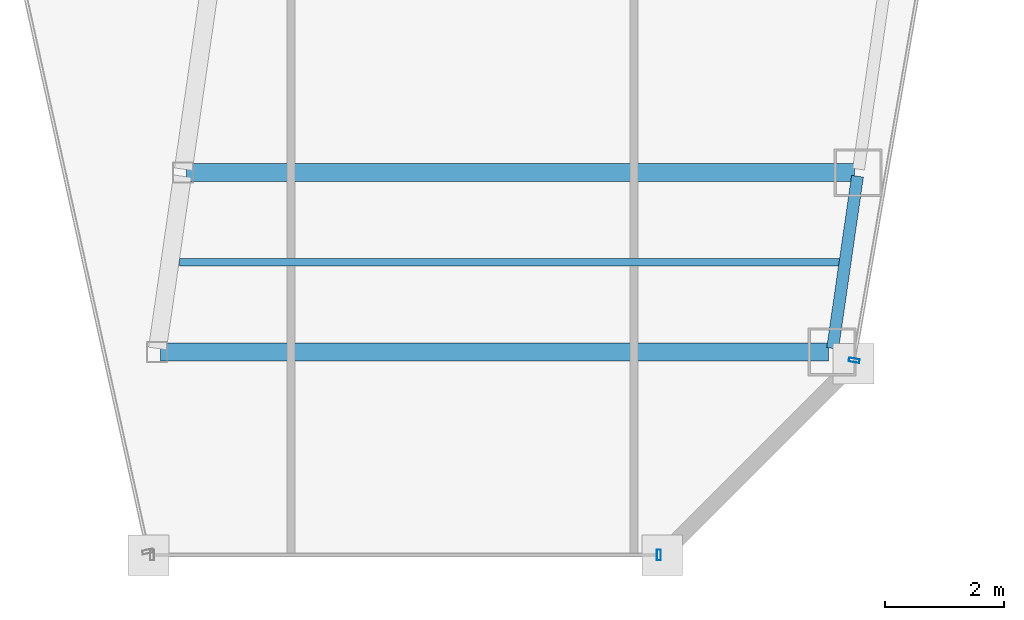
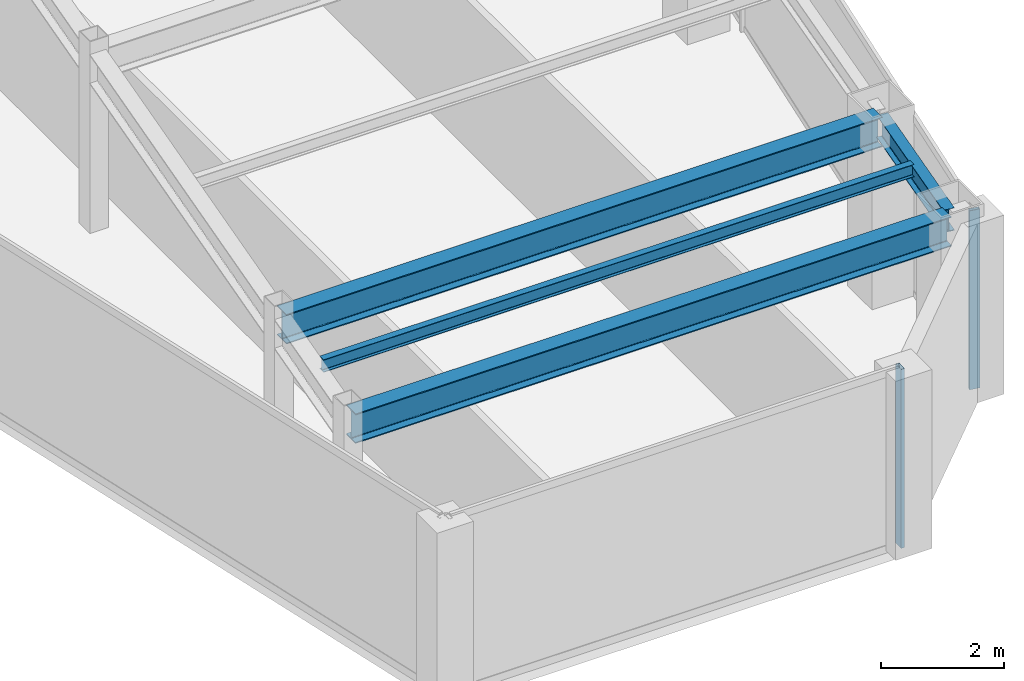
# One storey, part 14 of 32: 4 beams, 2 members, 2 elements without a shape of their own.
"""IFC4 building model written with IfcOpenShell, lengths in metres."""

from ifc_helpers import new_model, si_unit, direction, frame, origin, origin_2d, place, context, subcontext, project, spatial, hollow_rectangle, i_section, extrude, material, material_profile, profile_set, type_object, element, aggregate, save


model = new_model("IFC4")

# Units and contexts
model_context = context("Model", 3, precision=1e-05, world=origin(), true_north=direction((0.0, 1.0)))
body_context = subcontext(model_context, "Body", "Model", "MODEL_VIEW")
ifc_project = project(units=[si_unit("LENGTHUNIT", "METRE"), si_unit("AREAUNIT", "SQUARE_METRE"), si_unit("VOLUMEUNIT", "CUBIC_METRE"), si_unit("PLANEANGLEUNIT", "RADIAN"), si_unit("MASSUNIT", "GRAM", prefix="KILO")], contexts=[model_context])

# Site, building, storey
site_placement = place(None, origin())
site = spatial("IfcSite", under=ifc_project, at=site_placement, CompositionType="ELEMENT")
building_placement = place(site_placement, origin())
building = spatial("IfcBuilding", under=site, at=building_placement, Name="Saevonmaru Cultural Tower", CompositionType="ELEMENT")
storey_placement = place(building_placement, frame((0.0, 0.0, 242.0)))
storey = spatial("IfcBuildingStorey", under=building, at=storey_placement, Name="L56", CompositionType="ELEMENT", Elevation=242.0)

# Beams
ifc_material_1 = material(Name="Steel SM355", Category="steel")
ifc_material_profile_1 = material_profile(ifc_material_1, i_section(OverallWidth=0.300048828125, OverallDepth=0.587890625, WebThickness=0.011962890625, FlangeThickness=0.02001953125, FilletRadius=0.02392578125, at=origin_2d()), Name="H-588x300x12x20")
ifc_profile_set_1 = profile_set([ifc_material_profile_1], Name="Steel SM355")
beam_type_1 = type_object("IfcBeamType", Name="BM-G-H588", PredefinedType="BEAM", material=ifc_profile_set_1)
for number, where, z_axis, x_axis, name in (
    (1, (38.85400390625, 21.0, 3.256103515625), (1.0, 0.0, 0.0), (0.0, 1.0, 0.0), "L56 East Wing Transverse Girder 1"),
    (2, (39.2880859375, 24.0, 3.256103515625), (1.0, 0.0, 0.0), (0.0, 1.0, 0.0), "L56 East Wing Transverse Girder 2"),
):
    element("IfcBeam", number, at=place(storey_placement, frame(where, z_axis=z_axis, x_axis=x_axis)), inside=storey, type_object=beam_type_1, Name=name, PredefinedType="BEAM", context=body_context, shape_type="SweptSolid", body=[
        extrude(i_section(OverallWidth=0.300048828125, OverallDepth=0.587890625, WebThickness=0.011962890625, FlangeThickness=0.02001953125, FilletRadius=0.02392578125, at=origin_2d()), origin(), (0.0, 0.0, 1.0), 11.179931640625),
    ])
ifc_material_profile_2 = material_profile(ifc_material_1, i_section(OverallWidth=0.125, OverallDepth=0.25, WebThickness=0.006103515625, FlangeThickness=0.009033203125, FilletRadius=0.008056640625, at=origin_2d()), Name="H-250x125x6x9")
ifc_profile_set_2 = profile_set([ifc_material_profile_2], Name="Steel SM355")
beam_type_2 = type_object("IfcBeamType", Name="BM-J-H250", PredefinedType="JOIST", material=ifc_profile_set_2)
beam_1_placement = place(storey_placement, frame((39.1689453125, 22.5, 3.425048828125), z_axis=(1.0, 0.0, 0.0), x_axis=(0.0, 1.0, 0.0)))
element("IfcBeam", 3, at=beam_1_placement, inside=storey, type_object=beam_type_2, Name="L56 East Wing Floor Joist 1", PredefinedType="JOIST", context=body_context, shape_type="SweptSolid", body=[
    extrude(i_section(OverallWidth=0.125, OverallDepth=0.25, WebThickness=0.006103515625, FlangeThickness=0.009033203125, FilletRadius=0.008056640625, at=origin_2d()), origin(), (0.0, 0.0, 1.0), 11.08203125),
])
ifc_material_profile_3 = material_profile(ifc_material_1, i_section(OverallWidth=0.199951171875, OverallDepth=0.449951171875, WebThickness=0.009033203125, FlangeThickness=0.013916015625, FilletRadius=0.01806640625, at=origin_2d()), Name="H-450x200x9x14")
ifc_profile_set_3 = profile_set([ifc_material_profile_3], Name="Steel SM355")
beam_type_3 = type_object("IfcBeamType", Name="BM-SP-H450", PredefinedType="SPANDREL", material=ifc_profile_set_3)
beam_2_placement = place(storey_placement, frame((50.1025390625, 21.059326171875, 3.324951171875), z_axis=(0.143146955239, 0.98970144448, 0.0), x_axis=(-0.98970144448, 0.143146955239, 0.0)))
element("IfcBeam", 4, at=beam_2_placement, inside=storey, type_object=beam_type_3, Name="L56 East Splayed Spandrel 1", PredefinedType="SPANDREL", context=body_context, shape_type="SweptSolid", body=[
    extrude(i_section(OverallWidth=0.199951171875, OverallDepth=0.449951171875, WebThickness=0.009033203125, FlangeThickness=0.013916015625, FilletRadius=0.01806640625, at=origin_2d()), origin(), (0.0, 0.0, 1.0), 2.911376953125),
])

# Curtain wall, member
ifc_material_2 = material(Name="Satin Bronze Anodised Aluminium", Category="aluminium")
curtain_wall_type = type_object("IfcCurtainWallType", Name="CW-TYP-B", PredefinedType="NOTDEFINED", material=ifc_material_2)
curtain_wall_1_placement = place(storey_placement, origin())
curtain_wall_1 = element("IfcCurtainWall", 5, at=curtain_wall_1_placement, inside=storey, type_object=curtain_wall_type, Name="L56 Unitised Curtain Wall E6", PredefinedType="NOTDEFINED")
ifc_material_profile_4 = material_profile(ifc_material_2, hollow_rectangle(XDim=0.06494140625, YDim=0.179931640625, WallThickness=0.00390625, at=origin_2d()), Name="ALU-MULL-180x65x4")
ifc_profile_set_4 = profile_set([ifc_material_profile_4], Name="Satin Bronze Anodised Aluminium")
member_type = type_object("IfcMemberType", Name="ML-CW-180x65", PredefinedType="MULLION", material=ifc_profile_set_4)
member_1_placement = place(storey_placement, frame((47.193359375, 17.60009765625, 0.0), z_axis=(0.0, 0.0, 1.0), x_axis=(1.0, 0.0, 0.0)))
member_1 = element("IfcMember", 6, at=member_1_placement, type_object=member_type, Name="CW-TW-L56-E6 mullion 2", PredefinedType="MULLION", context=body_context, shape_type="SweptSolid", body=[
    extrude(hollow_rectangle(XDim=0.06494140625, YDim=0.179931640625, WallThickness=0.00390625, at=origin_2d()), origin(), (0.0, 0.0, 1.0), 3.550048828125),
])
aggregate(curtain_wall_1, [member_1])

curtain_wall_2_placement = place(storey_placement, origin())
curtain_wall_2 = element("IfcCurtainWall", 7, at=curtain_wall_2_placement, inside=storey, type_object=curtain_wall_type, Name="L56 Unitised Curtain Wall E8", PredefinedType="NOTDEFINED")
member_2_placement = place(storey_placement, frame((50.46337890625, 20.859130859375, 0.0), z_axis=(0.0, 0.0, 1.0), x_axis=(0.170790369887, 0.985307388359, 0.0)))
member_2 = element("IfcMember", 8, at=member_2_placement, type_object=member_type, Name="CW-TW-L56-E8 mullion 1", PredefinedType="MULLION", context=body_context, shape_type="SweptSolid", body=[
    extrude(hollow_rectangle(XDim=0.06494140625, YDim=0.179931640625, WallThickness=0.00390625, at=origin_2d()), origin(), (0.0, 0.0, 1.0), 3.550048828125),
])
aggregate(curtain_wall_2, [member_2])

save(model, "model.ifc")
